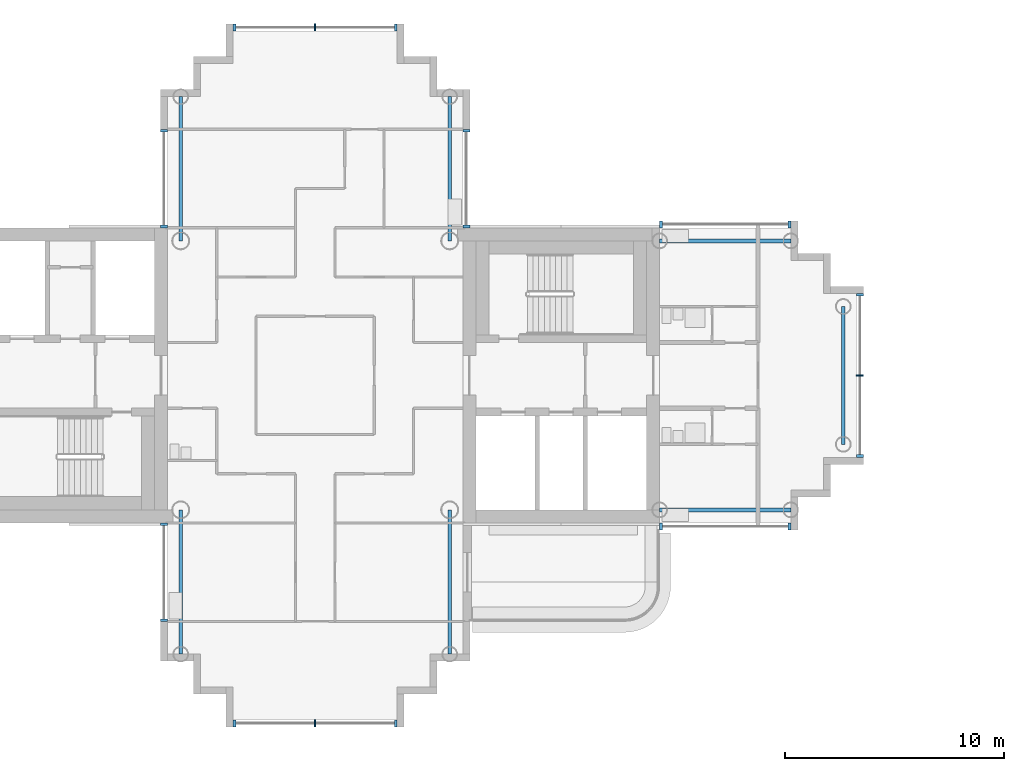
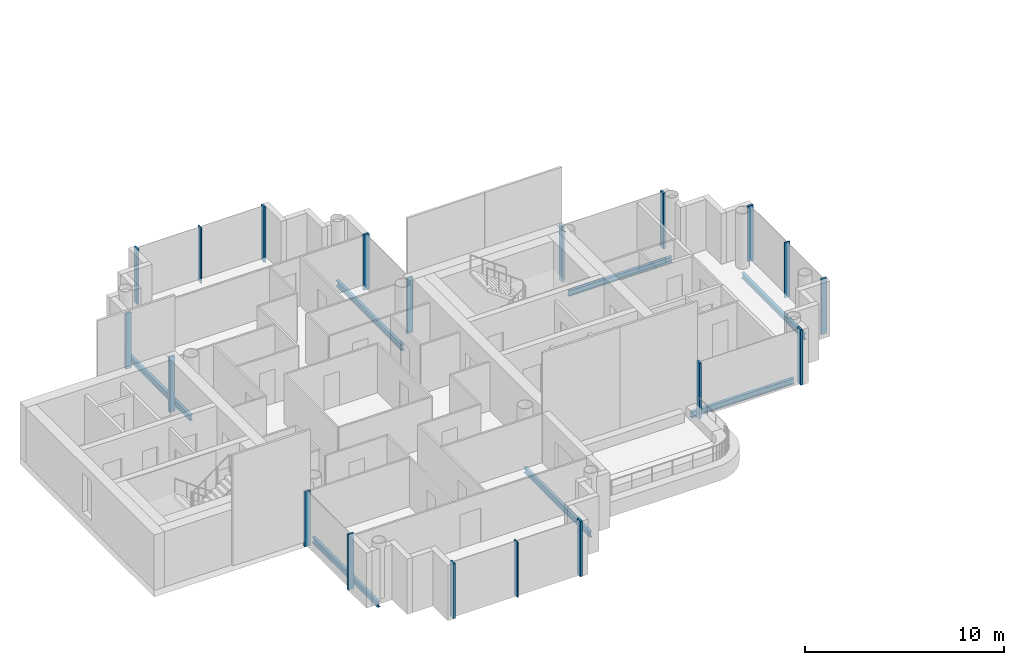
# One storey, part 3 of 18: 19 members, 7 beams, 8 elements without a shape of their own.
"""IFC4 building model written with IfcOpenShell, lengths in metres."""

from ifc_helpers import new_model, si_unit, direction, frame, origin, origin_2d, place, context, subcontext, project, spatial, rectangle, i_section, extrude, material, layer, layer_set, material_profile, profile_set, type_object, element, aggregate, save


model = new_model("IFC4")

# Units and contexts
model_context = context("Model", 3, precision=1e-05, world=origin(), true_north=direction((0.0, 1.0)))
body_context = subcontext(model_context, "Body", "Model", "MODEL_VIEW")
ifc_project = project(units=[si_unit("LENGTHUNIT", "METRE"), si_unit("AREAUNIT", "SQUARE_METRE"), si_unit("VOLUMEUNIT", "CUBIC_METRE"), si_unit("PLANEANGLEUNIT", "RADIAN"), si_unit("MASSUNIT", "GRAM", prefix="KILO")], contexts=[model_context])

# Site, building, storey
site_placement = place(None, origin())
site = spatial("IfcSite", under=ifc_project, at=site_placement, CompositionType="ELEMENT")
building_placement = place(site_placement, origin())
building = spatial("IfcBuilding", under=site, at=building_placement, Name="Ipe Terrace Towers", CompositionType="ELEMENT")
storey_placement = place(building_placement, frame((0.0, 0.0, 199.39990234375)))
storey = spatial("IfcBuildingStorey", under=building, at=storey_placement, Name="L55", CompositionType="ELEMENT", Elevation=199.39990234375)

# Beams
ifc_material_1 = material(Name="Steel S355", Category="steel")
ifc_material_profile_1 = material_profile(ifc_material_1, i_section(OverallWidth=0.175048828125, OverallDepth=0.35009765625, WebThickness=0.007080078125, FlangeThickness=0.010986328125, at=origin_2d()), Name="H-350x175x7x11")
ifc_profile_set_1 = profile_set([ifc_material_profile_1], Name="Steel S355")
beam_type = type_object("IfcBeamType", Name="H04 EDGE BEAM H-350x175x7x11", PredefinedType="BEAM", material=ifc_profile_set_1)
for number, where, z_axis, x_axis, name in (
    (1, (-20.25, -6.14990234375, -0.574951171875), (1.0, 0.0, 0.0), (0.0, 1.0, 0.0), "Edge beam T1-EB-A01-A03"),
    (2, (-20.25, 6.14990234375, -0.574951171875), (1.0, 0.0, 0.0), (0.0, 1.0, 0.0), "Edge beam T1-EB-A02-A04"),
):
    element("IfcBeam", number, at=place(storey_placement, frame(where, z_axis=z_axis, x_axis=x_axis)), inside=storey, type_object=beam_type, Name=name, PredefinedType="BEAM", context=body_context, shape_type="SweptSolid", body=[
        extrude(i_section(OverallWidth=0.175048828125, OverallDepth=0.35009765625, WebThickness=0.007080078125, FlangeThickness=0.010986328125, at=origin_2d()), origin(), (0.0, 0.0, 1.0), 6.0),
    ])
beam_placement = place(storey_placement, frame((-11.85009765625, -3.14990234375, -0.574951171875), z_axis=(0.0, 1.0, 0.0), x_axis=(-1.0, 0.0, 0.0)))
element("IfcBeam", 3, at=beam_placement, inside=storey, type_object=beam_type, Name="Edge beam T1-EB-A05-A06", PredefinedType="BEAM", context=body_context, shape_type="SweptSolid", body=[
    extrude(i_section(OverallWidth=0.175048828125, OverallDepth=0.35009765625, WebThickness=0.007080078125, FlangeThickness=0.010986328125, at=origin_2d()), origin(), (0.0, 0.0, 1.0), 6.2998046875),
])
for number, where, z_axis, x_axis, name in (
    (4, (-29.85009765625, 12.75, -0.574951171875), (0.0, -1.0, 0.0), (1.0, 0.0, 0.0), "Edge beam T1-EB-B01-E03"),
    (5, (-42.14990234375, 12.75, -0.574951171875), (0.0, -1.0, 0.0), (1.0, 0.0, 0.0), "Edge beam T1-EB-B02-E04"),
    (6, (-42.14990234375, -12.75, -0.574951171875), (0.0, 1.0, 0.0), (-1.0, 0.0, 0.0), "Edge beam T1-EB-D01-E01"),
    (7, (-29.85009765625, -12.75, -0.574951171875), (0.0, 1.0, 0.0), (-1.0, 0.0, 0.0), "Edge beam T1-EB-D02-E02"),
):
    element("IfcBeam", number, at=place(storey_placement, frame(where, z_axis=z_axis, x_axis=x_axis)), inside=storey, type_object=beam_type, Name=name, PredefinedType="BEAM", context=body_context, shape_type="SweptSolid", body=[
        extrude(i_section(OverallWidth=0.175048828125, OverallDepth=0.35009765625, WebThickness=0.007080078125, FlangeThickness=0.010986328125, at=origin_2d()), origin(), (0.0, 0.0, 1.0), 6.60009765625),
    ])

# Curtain wall, members
ifc_material_2 = material(Name="Aluminium alloy 6063-T6", Category="aluminium")
ifc_layer = layer(ifc_material_2, 0.320068359375)
ifc_layer_set = layer_set([ifc_layer], Name="TOWER UNITISED CURTAIN WALL")
curtain_wall_type = type_object("IfcCurtainWallType", Name="TOWER UNITISED CURTAIN WALL", PredefinedType="NOTDEFINED", material=ifc_layer_set)
curtain_wall_1_placement = place(storey_placement, origin())
curtain_wall_1 = element("IfcCurtainWall", 8, at=curtain_wall_1_placement, inside=storey, type_object=curtain_wall_type, Name="T1-CW-L55-02a curtain wall", PredefinedType="NOTDEFINED")
ifc_material_3 = material(Name="Aluminium alloy 6063-T6", Category="aluminium")
ifc_material_profile_2 = material_profile(ifc_material_3, rectangle(XDim=0.320068359375, YDim=0.1201171875, at=origin_2d()), Name="TOWER UNITISED CORNER MULLION 320 x 120")
ifc_profile_set_2 = profile_set([ifc_material_profile_2], Name="Aluminium alloy 6063-T6")
member_type_1 = type_object("IfcMemberType", Name="TOWER UNITISED CORNER MULLION 320 x 120", PredefinedType="MULLION", material=ifc_profile_set_2)
member_1_placement = place(storey_placement, frame((-42.909912109375, -6.81005859375, -0.2998046875), z_axis=(0.0, 0.0, 1.0), x_axis=(-1.0, 0.0, 0.0)))
member_1 = element("IfcMember", 9, at=member_1_placement, type_object=member_type_1, Name="T1-CW-L55-02a mullion 1", PredefinedType="MULLION", context=body_context, shape_type="SweptSolid", body=[
    extrude(rectangle(XDim=0.320068359375, YDim=0.1201171875, at=origin_2d()), origin(), (0.0, 0.0, 1.0), 3.39990234375),
])
member_2_placement = place(storey_placement, frame((-42.909912109375, -11.18994140625, -0.2998046875), z_axis=(0.0, 0.0, 1.0), x_axis=(-1.0, 0.0, 0.0)))
member_2 = element("IfcMember", 10, at=member_2_placement, type_object=member_type_1, Name="T1-CW-L55-02a mullion 2", PredefinedType="MULLION", context=body_context, shape_type="SweptSolid", body=[
    extrude(rectangle(XDim=0.320068359375, YDim=0.1201171875, at=origin_2d()), origin(), (0.0, 0.0, 1.0), 3.39990234375),
])
aggregate(curtain_wall_1, [member_1, member_2])

curtain_wall_2_placement = place(storey_placement, origin())
curtain_wall_2 = element("IfcCurtainWall", 11, at=curtain_wall_2_placement, inside=storey, type_object=curtain_wall_type, Name="T1-CW-L55-08a curtain wall", PredefinedType="NOTDEFINED")
member_3_placement = place(storey_placement, frame((-39.68994140625, -15.909912109375, -0.2998046875), z_axis=(0.0, 0.0, 1.0), x_axis=(0.0, -1.0, 0.0)))
member_3 = element("IfcMember", 12, at=member_3_placement, type_object=member_type_1, Name="T1-CW-L55-08a mullion 1", PredefinedType="MULLION", context=body_context, shape_type="SweptSolid", body=[
    extrude(rectangle(XDim=0.320068359375, YDim=0.1201171875, at=origin_2d()), origin(), (0.0, 0.0, 1.0), 3.39990234375),
])
member_4_placement = place(storey_placement, frame((-32.31005859375, -15.909912109375, -0.2998046875), z_axis=(0.0, 0.0, 1.0), x_axis=(0.0, -1.0, 0.0)))
member_4 = element("IfcMember", 13, at=member_4_placement, type_object=member_type_1, Name="T1-CW-L55-08a mullion 3", PredefinedType="MULLION", context=body_context, shape_type="SweptSolid", body=[
    extrude(rectangle(XDim=0.320068359375, YDim=0.1201171875, at=origin_2d()), origin(), (0.0, 0.0, 1.0), 3.39990234375),
])

curtain_wall_3_placement = place(storey_placement, origin())
curtain_wall_3 = element("IfcCurtainWall", 14, at=curtain_wall_3_placement, inside=storey, type_object=curtain_wall_type, Name="T1-CW-L55-16b curtain wall", PredefinedType="NOTDEFINED")
member_5_placement = place(storey_placement, frame((-20.18896484375, -6.909912109375, -0.2998046875), z_axis=(0.0, 0.0, 1.0), x_axis=(0.0, -1.0, 0.0)))
member_5 = element("IfcMember", 15, at=member_5_placement, type_object=member_type_1, Name="T1-CW-L55-16b mullion 1", PredefinedType="MULLION", context=body_context, shape_type="SweptSolid", body=[
    extrude(rectangle(XDim=0.320068359375, YDim=0.1201171875, at=origin_2d()), origin(), (0.0, 0.0, 1.0), 3.39990234375),
])
member_6_placement = place(storey_placement, frame((-14.31005859375, -6.909912109375, -0.2998046875), z_axis=(0.0, 0.0, 1.0), x_axis=(0.0, -1.0, 0.0)))
member_6 = element("IfcMember", 16, at=member_6_placement, type_object=member_type_1, Name="T1-CW-L55-16b mullion 2", PredefinedType="MULLION", context=body_context, shape_type="SweptSolid", body=[
    extrude(rectangle(XDim=0.320068359375, YDim=0.1201171875, at=origin_2d()), origin(), (0.0, 0.0, 1.0), 3.39990234375),
])
aggregate(curtain_wall_3, [member_5, member_6])

curtain_wall_4_placement = place(storey_placement, origin())
curtain_wall_4 = element("IfcCurtainWall", 17, at=curtain_wall_4_placement, inside=storey, type_object=curtain_wall_type, Name="T1-CW-L55-21a curtain wall", PredefinedType="NOTDEFINED")
member_7_placement = place(storey_placement, frame((-11.090087890625, -3.68994140625, -0.2998046875), z_axis=(0.0, 0.0, 1.0), x_axis=(1.0, 0.0, 0.0)))
member_7 = element("IfcMember", 18, at=member_7_placement, type_object=member_type_1, Name="T1-CW-L55-21a mullion 1", PredefinedType="MULLION", context=body_context, shape_type="SweptSolid", body=[
    extrude(rectangle(XDim=0.320068359375, YDim=0.1201171875, at=origin_2d()), origin(), (0.0, 0.0, 1.0), 3.39990234375),
])
member_8_placement = place(storey_placement, frame((-11.090087890625, 3.68994140625, -0.2998046875), z_axis=(0.0, 0.0, 1.0), x_axis=(1.0, 0.0, 0.0)))
member_8 = element("IfcMember", 19, at=member_8_placement, type_object=member_type_1, Name="T1-CW-L55-21a mullion 3", PredefinedType="MULLION", context=body_context, shape_type="SweptSolid", body=[
    extrude(rectangle(XDim=0.320068359375, YDim=0.1201171875, at=origin_2d()), origin(), (0.0, 0.0, 1.0), 3.39990234375),
])

curtain_wall_5_placement = place(storey_placement, origin())
curtain_wall_5 = element("IfcCurtainWall", 20, at=curtain_wall_5_placement, inside=storey, type_object=curtain_wall_type, Name="T1-CW-L55-26a curtain wall", PredefinedType="NOTDEFINED")
member_9_placement = place(storey_placement, frame((-14.31005859375, 6.909912109375, -0.2998046875), z_axis=(0.0, 0.0, 1.0), x_axis=(0.0, 1.0, 0.0)))
member_9 = element("IfcMember", 21, at=member_9_placement, type_object=member_type_1, Name="T1-CW-L55-26a mullion 1", PredefinedType="MULLION", context=body_context, shape_type="SweptSolid", body=[
    extrude(rectangle(XDim=0.320068359375, YDim=0.1201171875, at=origin_2d()), origin(), (0.0, 0.0, 1.0), 3.39990234375),
])
member_10_placement = place(storey_placement, frame((-20.18896484375, 6.909912109375, -0.2998046875), z_axis=(0.0, 0.0, 1.0), x_axis=(0.0, 1.0, 0.0)))
member_10 = element("IfcMember", 22, at=member_10_placement, type_object=member_type_1, Name="T1-CW-L55-26a mullion 2", PredefinedType="MULLION", context=body_context, shape_type="SweptSolid", body=[
    extrude(rectangle(XDim=0.320068359375, YDim=0.1201171875, at=origin_2d()), origin(), (0.0, 0.0, 1.0), 3.39990234375),
])
aggregate(curtain_wall_5, [member_9, member_10])

curtain_wall_6_placement = place(storey_placement, origin())
curtain_wall_6 = element("IfcCurtainWall", 23, at=curtain_wall_6_placement, inside=storey, type_object=curtain_wall_type, Name="T1-CW-L55-28a curtain wall", PredefinedType="NOTDEFINED")
member_11_placement = place(storey_placement, frame((-29.090087890625, 6.81005859375, -0.2998046875), z_axis=(0.0, 0.0, 1.0), x_axis=(1.0, 0.0, 0.0)))
member_11 = element("IfcMember", 24, at=member_11_placement, type_object=member_type_1, Name="T1-CW-L55-28a mullion 1", PredefinedType="MULLION", context=body_context, shape_type="SweptSolid", body=[
    extrude(rectangle(XDim=0.320068359375, YDim=0.1201171875, at=origin_2d()), origin(), (0.0, 0.0, 1.0), 3.39990234375),
])
member_12_placement = place(storey_placement, frame((-29.090087890625, 11.18994140625, -0.2998046875), z_axis=(0.0, 0.0, 1.0), x_axis=(1.0, 0.0, 0.0)))
member_12 = element("IfcMember", 25, at=member_12_placement, type_object=member_type_1, Name="T1-CW-L55-28a mullion 2", PredefinedType="MULLION", context=body_context, shape_type="SweptSolid", body=[
    extrude(rectangle(XDim=0.320068359375, YDim=0.1201171875, at=origin_2d()), origin(), (0.0, 0.0, 1.0), 3.39990234375),
])
aggregate(curtain_wall_6, [member_11, member_12])

curtain_wall_7_placement = place(storey_placement, origin())
curtain_wall_7 = element("IfcCurtainWall", 26, at=curtain_wall_7_placement, inside=storey, type_object=curtain_wall_type, Name="T1-CW-L55-34a curtain wall", PredefinedType="NOTDEFINED")
member_13_placement = place(storey_placement, frame((-32.31005859375, 15.909912109375, -0.2998046875), z_axis=(0.0, 0.0, 1.0), x_axis=(0.0, 1.0, 0.0)))
member_13 = element("IfcMember", 27, at=member_13_placement, type_object=member_type_1, Name="T1-CW-L55-34a mullion 1", PredefinedType="MULLION", context=body_context, shape_type="SweptSolid", body=[
    extrude(rectangle(XDim=0.320068359375, YDim=0.1201171875, at=origin_2d()), origin(), (0.0, 0.0, 1.0), 3.39990234375),
])
member_14_placement = place(storey_placement, frame((-39.68994140625, 15.909912109375, -0.2998046875), z_axis=(0.0, 0.0, 1.0), x_axis=(0.0, 1.0, 0.0)))
member_14 = element("IfcMember", 28, at=member_14_placement, type_object=member_type_1, Name="T1-CW-L55-34a mullion 3", PredefinedType="MULLION", context=body_context, shape_type="SweptSolid", body=[
    extrude(rectangle(XDim=0.320068359375, YDim=0.1201171875, at=origin_2d()), origin(), (0.0, 0.0, 1.0), 3.39990234375),
])

curtain_wall_8_placement = place(storey_placement, origin())
curtain_wall_8 = element("IfcCurtainWall", 29, at=curtain_wall_8_placement, inside=storey, type_object=curtain_wall_type, Name="T1-CW-L55-40a curtain wall", PredefinedType="NOTDEFINED")
member_15_placement = place(storey_placement, frame((-42.909912109375, 11.18994140625, -0.2998046875), z_axis=(0.0, 0.0, 1.0), x_axis=(-1.0, 0.0, 0.0)))
member_15 = element("IfcMember", 30, at=member_15_placement, type_object=member_type_1, Name="T1-CW-L55-40a mullion 1", PredefinedType="MULLION", context=body_context, shape_type="SweptSolid", body=[
    extrude(rectangle(XDim=0.320068359375, YDim=0.1201171875, at=origin_2d()), origin(), (0.0, 0.0, 1.0), 3.39990234375),
])
member_16_placement = place(storey_placement, frame((-42.909912109375, 6.81005859375, -0.2998046875), z_axis=(0.0, 0.0, 1.0), x_axis=(-1.0, 0.0, 0.0)))
member_16 = element("IfcMember", 31, at=member_16_placement, type_object=member_type_1, Name="T1-CW-L55-40a mullion 2", PredefinedType="MULLION", context=body_context, shape_type="SweptSolid", body=[
    extrude(rectangle(XDim=0.320068359375, YDim=0.1201171875, at=origin_2d()), origin(), (0.0, 0.0, 1.0), 3.39990234375),
])
aggregate(curtain_wall_8, [member_15, member_16])

# Member
ifc_material_4 = material(Name="Aluminium alloy 6063-T6", Category="aluminium")
ifc_material_profile_3 = material_profile(ifc_material_4, rectangle(XDim=0.320068359375, YDim=0.06494140625, at=origin_2d()), Name="TOWER UNITISED MULLION 320 x 65")
ifc_profile_set_3 = profile_set([ifc_material_profile_3], Name="Aluminium alloy 6063-T6")
member_type_2 = type_object("IfcMemberType", Name="TOWER UNITISED MULLION 320 x 65", PredefinedType="MULLION", material=ifc_profile_set_3)
member_17_placement = place(storey_placement, frame((-36.0, -15.909912109375, -0.2998046875), z_axis=(0.0, 0.0, 1.0), x_axis=(0.0, -1.0, 0.0)))
member_17 = element("IfcMember", 32, at=member_17_placement, type_object=member_type_2, Name="T1-CW-L55-08a mullion 2", PredefinedType="MULLION", context=body_context, shape_type="SweptSolid", body=[
    extrude(rectangle(XDim=0.320068359375, YDim=0.06494140625, at=origin_2d()), origin(), (0.0, 0.0, 1.0), 3.39990234375),
])

aggregate(curtain_wall_2, [member_3, member_17, member_4])

member_18_placement = place(storey_placement, frame((-11.090087890625, 0.0, -0.2998046875), z_axis=(0.0, 0.0, 1.0), x_axis=(1.0, 0.0, 0.0)))
member_18 = element("IfcMember", 33, at=member_18_placement, type_object=member_type_2, Name="T1-CW-L55-21a mullion 2", PredefinedType="MULLION", context=body_context, shape_type="SweptSolid", body=[
    extrude(rectangle(XDim=0.320068359375, YDim=0.06494140625, at=origin_2d()), origin(), (0.0, 0.0, 1.0), 3.39990234375),
])

aggregate(curtain_wall_4, [member_7, member_18, member_8])

member_19_placement = place(storey_placement, frame((-36.0, 15.909912109375, -0.2998046875), z_axis=(0.0, 0.0, 1.0), x_axis=(0.0, 1.0, 0.0)))
member_19 = element("IfcMember", 34, at=member_19_placement, type_object=member_type_2, Name="T1-CW-L55-34a mullion 2", PredefinedType="MULLION", context=body_context, shape_type="SweptSolid", body=[
    extrude(rectangle(XDim=0.320068359375, YDim=0.06494140625, at=origin_2d()), origin(), (0.0, 0.0, 1.0), 3.39990234375),
])

aggregate(curtain_wall_7, [member_13, member_19, member_14])

save(model, "model.ifc")
